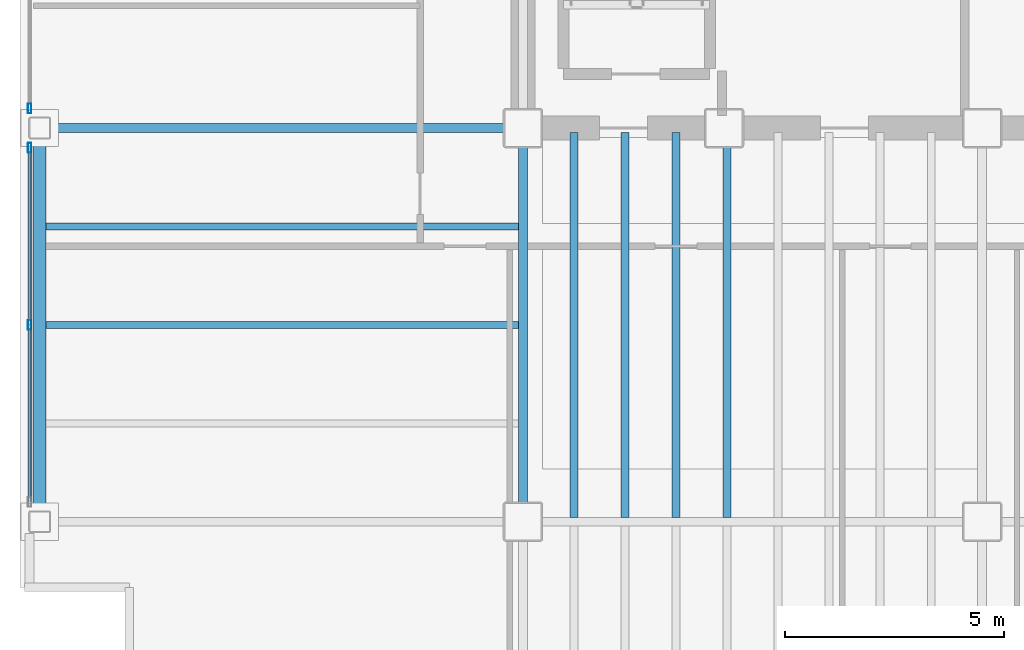
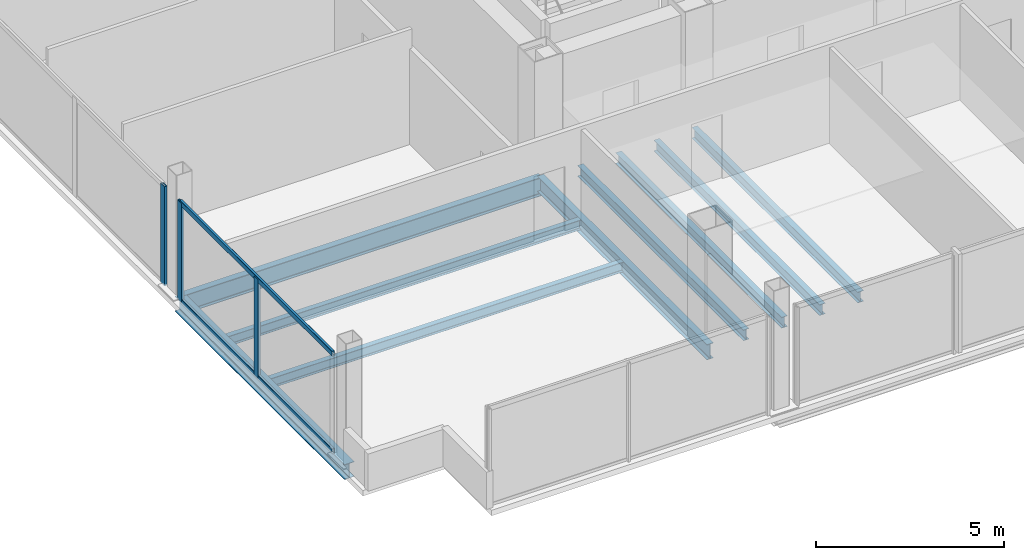
# One storey, part 3 of 19: 9 beams, 5 members, 2 elements without a shape of their own.
"""IFC4 building model written with IfcOpenShell, lengths in metres."""

from ifc_helpers import new_model, si_unit, direction, frame, origin, origin_2d, place, context, subcontext, project, spatial, hollow_rectangle, i_section, extrude, material, material_profile, profile_set, type_object, element, aggregate, save


model = new_model("IFC4")

# Units and contexts
model_context = context("Model", 3, precision=1e-05, world=origin(), true_north=direction((0.0, 1.0)))
body_context = subcontext(model_context, "Body", "Model", "MODEL_VIEW")
ifc_project = project(units=[si_unit("LENGTHUNIT", "METRE"), si_unit("AREAUNIT", "SQUARE_METRE"), si_unit("VOLUMEUNIT", "CUBIC_METRE"), si_unit("PLANEANGLEUNIT", "RADIAN"), si_unit("MASSUNIT", "GRAM", prefix="KILO")], contexts=[model_context])

# Site, building, storey
site_placement = place(None, origin())
site = spatial("IfcSite", under=ifc_project, at=site_placement, CompositionType="ELEMENT")
building_placement = place(site_placement, origin())
building = spatial("IfcBuilding", under=site, at=building_placement, Name="Noeulbin Bourse Tower", CompositionType="ELEMENT")
storey_placement = place(building_placement, frame((0.0, 0.0, 150.0)))
storey = spatial("IfcBuildingStorey", under=building, at=storey_placement, Name="L37", CompositionType="ELEMENT", Elevation=150.0)

# Beams
ifc_material_1 = material(Name="Steel S355", Category="steel")
ifc_material_profile_1 = material_profile(ifc_material_1, i_section(OverallWidth=0.199951171875, OverallDepth=0.5, WebThickness=0.010009765625, FlangeThickness=0.01611328125, FilletRadius=0.02001953125, at=origin_2d()), Name="H-500x200x10x16", Category="LoadBearing")
ifc_profile_set_1 = profile_set([ifc_material_profile_1], Name="Steel S355")
beam_type_1 = type_object("IfcBeamType", Name="BM-GRD-500", PredefinedType="USERDEFINED", material=ifc_profile_set_1)
beam_1_placement = place(storey_placement, frame((13.5, 20.0, -0.429931640625), z_axis=(0.0, 1.0, 0.0), x_axis=(-1.0, 0.0, 0.0)))
element("IfcBeam", 1, at=beam_1_placement, inside=storey, type_object=beam_type_1, Name="Tower Primary Girder NS L37-1.2", ObjectType="GIRDER", PredefinedType="USERDEFINED", context=body_context, shape_type="SweptSolid", body=[
    extrude(i_section(OverallWidth=0.199951171875, OverallDepth=0.5, WebThickness=0.010009765625, FlangeThickness=0.01611328125, FilletRadius=0.02001953125, at=origin_2d()), origin(), (0.0, 0.0, 1.0), 9.0),
])
ifc_material_profile_2 = material_profile(ifc_material_1, i_section(OverallWidth=0.199951171875, OverallDepth=0.60009765625, WebThickness=0.010986328125, FlangeThickness=0.01708984375, FilletRadius=0.02197265625, at=origin_2d()), Name="H-600x200x11x17", Category="LoadBearing")
ifc_profile_set_2 = profile_set([ifc_material_profile_2], Name="Steel S355")
beam_type_2 = type_object("IfcBeamType", Name="BM-GRD-600", PredefinedType="USERDEFINED", material=ifc_profile_set_2)
beam_2_placement = place(storey_placement, frame((2.449951171875, 29.0, -0.47998046875), z_axis=(1.0, 0.0, 0.0), x_axis=(0.0, 1.0, 0.0)))
element("IfcBeam", 2, at=beam_2_placement, inside=storey, type_object=beam_type_2, Name="Tower Primary Girder EW L37-2.1", ObjectType="GIRDER", PredefinedType="USERDEFINED", context=body_context, shape_type="SweptSolid", body=[
    extrude(i_section(OverallWidth=0.199951171875, OverallDepth=0.60009765625, WebThickness=0.010986328125, FlangeThickness=0.01708984375, FilletRadius=0.02197265625, at=origin_2d()), origin(), (0.0, 0.0, 1.0), 11.050048828125),
])
ifc_material_profile_3 = material_profile(ifc_material_1, i_section(OverallWidth=0.159912109375, OverallDepth=0.320068359375, WebThickness=0.006591796875, FlangeThickness=0.010009765625, FilletRadius=0.012939453125, at=origin_2d()), Name="H-320x160x6.5x10", Category="LoadBearing")
ifc_profile_set_3 = profile_set([ifc_material_profile_3], Name="Steel S355")
beam_type_3 = type_object("IfcBeamType", Name="BM-JST-320", PredefinedType="JOIST", material=ifc_profile_set_3)
for number, where, z_axis, x_axis, name in (
    (3, (2.60009765625, 24.5, -0.340087890625), (1.0, 0.0, 0.0), (0.0, 1.0, 0.0), "Wing Composite Joist L37-W71"),
    (4, (2.60009765625, 26.75, -0.340087890625), (1.0, 0.0, 0.0), (0.0, 1.0, 0.0), "Wing Composite Joist L37-W72"),
):
    element("IfcBeam", number, at=place(storey_placement, frame(where, z_axis=z_axis, x_axis=x_axis)), inside=storey, type_object=beam_type_3, Name=name, PredefinedType="JOIST", context=body_context, shape_type="SweptSolid", body=[
        extrude(i_section(OverallWidth=0.159912109375, OverallDepth=0.320068359375, WebThickness=0.006591796875, FlangeThickness=0.010009765625, FilletRadius=0.012939453125, at=origin_2d()), origin(), (0.0, 0.0, 1.0), 10.7998046875),
    ])
ifc_material_profile_4 = material_profile(ifc_material_1, i_section(OverallWidth=0.175048828125, OverallDepth=0.35009765625, WebThickness=0.007080078125, FlangeThickness=0.010986328125, FilletRadius=0.013916015625, at=origin_2d()), Name="H-350x175x7x11", Category="LoadBearing")
ifc_profile_set_4 = profile_set([ifc_material_profile_4], Name="Steel S355")
beam_type_4 = type_object("IfcBeamType", Name="BM-JST-350", PredefinedType="JOIST", material=ifc_profile_set_4)
for number, where, z_axis, x_axis, name in (
    (5, (14.666748046875, 20.10009765625, -0.35498046875), (0.0, 1.0, 0.0), (-1.0, 0.0, 0.0), "Tower Composite Joist L37-02"),
    (6, (15.833251953125, 20.10009765625, -0.35498046875), (0.0, 1.0, 0.0), (-1.0, 0.0, 0.0), "Tower Composite Joist L37-05"),
    (7, (17.0, 20.10009765625, -0.35498046875), (0.0, 1.0, 0.0), (-1.0, 0.0, 0.0), "Tower Composite Joist L37-08"),
    (8, (18.166748046875, 20.10009765625, -0.35498046875), (0.0, 1.0, 0.0), (-1.0, 0.0, 0.0), "Tower Composite Joist L37-11"),
):
    element("IfcBeam", number, at=place(storey_placement, frame(where, z_axis=z_axis, x_axis=x_axis)), inside=storey, type_object=beam_type_4, Name=name, PredefinedType="JOIST", context=body_context, shape_type="SweptSolid", body=[
        extrude(i_section(OverallWidth=0.175048828125, OverallDepth=0.35009765625, WebThickness=0.007080078125, FlangeThickness=0.010986328125, FilletRadius=0.013916015625, at=origin_2d()), origin(), (0.0, 0.0, 1.0), 8.7998046875),
    ])
ifc_material_profile_5 = material_profile(ifc_material_1, i_section(OverallWidth=0.300048828125, OverallDepth=0.488037109375, WebThickness=0.010986328125, FlangeThickness=0.01806640625, FilletRadius=0.02197265625, at=origin_2d()), Name="H-488x300x11x18", Category="LoadBearing")
ifc_profile_set_5 = profile_set([ifc_material_profile_5], Name="Steel S355")
beam_type_5 = type_object("IfcBeamType", Name="BM-SPN-488", PredefinedType="SPANDREL", material=ifc_profile_set_5)
beam_3_placement = place(storey_placement, frame((2.449951171875, 20.0, -0.424072265625), z_axis=(0.0, 1.0, 0.0), x_axis=(-1.0, 0.0, 0.0)))
element("IfcBeam", 9, at=beam_3_placement, inside=storey, type_object=beam_type_5, Name="West Spandrel L37-1", PredefinedType="SPANDREL", context=body_context, shape_type="SweptSolid", body=[
    extrude(i_section(OverallWidth=0.300048828125, OverallDepth=0.488037109375, WebThickness=0.010986328125, FlangeThickness=0.01806640625, FilletRadius=0.02197265625, at=origin_2d()), origin(), (0.0, 0.0, 1.0), 9.0),
])

# Curtain wall, members
ifc_material_2 = material(Name="Dark Tinted Triple Glazing", Category="glass")
curtain_wall_type = type_object("IfcCurtainWallType", Name="CW-SYS-3", PredefinedType="NOTDEFINED", material=ifc_material_2)
curtain_wall_1_placement = place(storey_placement, origin())
curtain_wall_1 = element("IfcCurtainWall", 10, at=curtain_wall_1_placement, inside=storey, type_object=curtain_wall_type, Name="Unitised Curtain Wall CW-L37-W-S1", PredefinedType="NOTDEFINED")
ifc_material_3 = material(Name="Anodised Aluminium 6063-T6", Category="aluminium")
ifc_material_profile_6 = material_profile(ifc_material_3, hollow_rectangle(XDim=0.074951171875, YDim=0.219970703125, WallThickness=0.0048828125, InnerFilletRadius=0.00244140625, OuterFilletRadius=0.0048828125, at=origin_2d()), Name="ALU-MULL-75x220x5", Category="LoadBearing")
ifc_profile_set_6 = profile_set([ifc_material_profile_6], Name="Anodised Aluminium 6063-T6")
member_type_1 = type_object("IfcMemberType", Name="CW-SYS-3-MUL", PredefinedType="MULLION", material=ifc_profile_set_6)
member_1_placement = place(storey_placement, frame((2.219970703125, 24.5, -0.02001953125), z_axis=(0.0, 0.0, 1.0), x_axis=(1.0, 0.0, 0.0)))
member_1 = element("IfcMember", 11, at=member_1_placement, type_object=member_type_1, Name="Curtain Wall Mullion CW-L37-W-S1-M01", PredefinedType="MULLION", context=body_context, shape_type="SweptSolid", body=[
    extrude(hollow_rectangle(XDim=0.074951171875, YDim=0.219970703125, WallThickness=0.0048828125, InnerFilletRadius=0.00244140625, OuterFilletRadius=0.0048828125, at=origin_2d()), origin(), (0.0, 0.0, 1.0), 3.219970703125),
])
member_2_placement = place(storey_placement, frame((2.219970703125, 28.550048828125, -0.02001953125), z_axis=(0.0, 0.0, 1.0), x_axis=(1.0, 0.0, 0.0)))
member_2 = element("IfcMember", 12, at=member_2_placement, type_object=member_type_1, Name="Curtain Wall Mullion CW-L37-W-S1-M02", PredefinedType="MULLION", context=body_context, shape_type="SweptSolid", body=[
    extrude(hollow_rectangle(XDim=0.074951171875, YDim=0.219970703125, WallThickness=0.0048828125, InnerFilletRadius=0.00244140625, OuterFilletRadius=0.0048828125, at=origin_2d()), origin(), (0.0, 0.0, 1.0), 3.219970703125),
])

# Curtain wall, member
curtain_wall_2_placement = place(storey_placement, origin())
curtain_wall_2 = element("IfcCurtainWall", 13, at=curtain_wall_2_placement, inside=storey, type_object=curtain_wall_type, Name="Unitised Curtain Wall CW-L37-W-S2", PredefinedType="NOTDEFINED")
member_3_placement = place(storey_placement, frame((2.219970703125, 29.449951171875, -0.02001953125), z_axis=(0.0, 0.0, 1.0), x_axis=(1.0, 0.0, 0.0)))
member_3 = element("IfcMember", 14, at=member_3_placement, type_object=member_type_1, Name="Curtain Wall Mullion CW-L37-W-S2-M00", PredefinedType="MULLION", context=body_context, shape_type="SweptSolid", body=[
    extrude(hollow_rectangle(XDim=0.074951171875, YDim=0.219970703125, WallThickness=0.0048828125, InnerFilletRadius=0.00244140625, OuterFilletRadius=0.0048828125, at=origin_2d()), origin(), (0.0, 0.0, 1.0), 3.219970703125),
])
aggregate(curtain_wall_2, [member_3])

# Member
ifc_material_profile_7 = material_profile(ifc_material_3, hollow_rectangle(XDim=0.074951171875, YDim=0.159912109375, WallThickness=0.0048828125, InnerFilletRadius=0.00244140625, OuterFilletRadius=0.0048828125, at=origin_2d()), Name="ALU-TRAN-75x160x5", Category="LoadBearing")
ifc_profile_set_7 = profile_set([ifc_material_profile_7], Name="Anodised Aluminium 6063-T6")
member_type_2 = type_object("IfcMemberType", Name="CW-SYS-3-TRN", PredefinedType="USERDEFINED", material=ifc_profile_set_7)
member_4_placement = place(storey_placement, frame((2.219970703125, 20.4599609375, 0.010009765625), z_axis=(0.0, 1.0, 0.0), x_axis=(-1.0, 0.0, 0.0)))
member_4 = element("IfcMember", 15, at=member_4_placement, type_object=member_type_2, Name="Curtain Wall Transom CW-L37-W-S1-T00", ObjectType="TRANSOM", PredefinedType="USERDEFINED", context=body_context, shape_type="SweptSolid", body=[
    extrude(hollow_rectangle(XDim=0.074951171875, YDim=0.159912109375, WallThickness=0.0048828125, InnerFilletRadius=0.00244140625, OuterFilletRadius=0.0048828125, at=origin_2d()), origin(), (0.0, 0.0, 1.0), 8.080078125),
])

member_5_placement = place(storey_placement, frame((2.219970703125, 20.4599609375, 3.169921875), z_axis=(0.0, 1.0, 0.0), x_axis=(-1.0, 0.0, 0.0)))
member_5 = element("IfcMember", 16, at=member_5_placement, type_object=member_type_2, Name="Curtain Wall Transom CW-L37-W-S1-T01", ObjectType="TRANSOM", PredefinedType="USERDEFINED", context=body_context, shape_type="SweptSolid", body=[
    extrude(hollow_rectangle(XDim=0.074951171875, YDim=0.159912109375, WallThickness=0.0048828125, InnerFilletRadius=0.00244140625, OuterFilletRadius=0.0048828125, at=origin_2d()), origin(), (0.0, 0.0, 1.0), 8.080078125),
])

aggregate(curtain_wall_1, [member_1, member_2, member_4, member_5])

save(model, "model.ifc")
